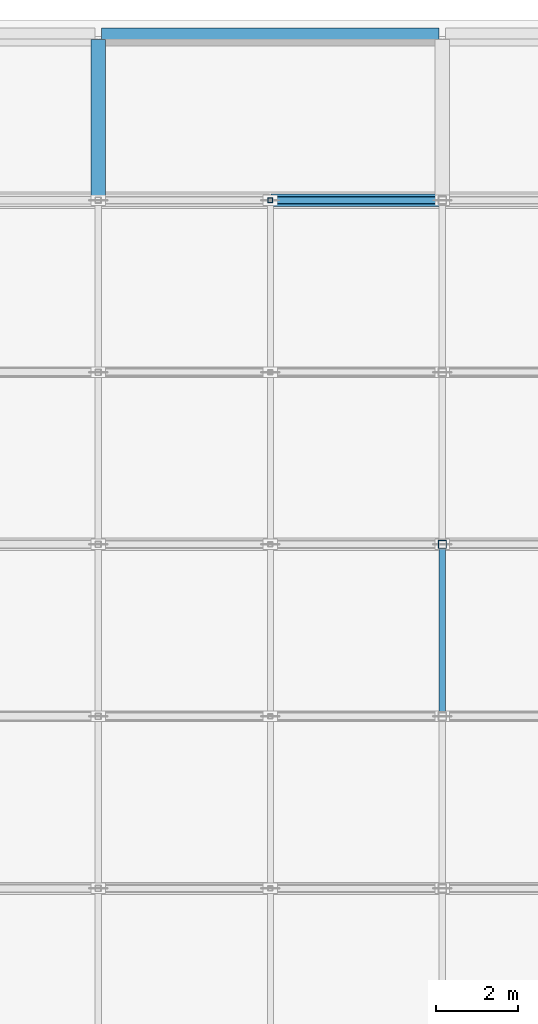
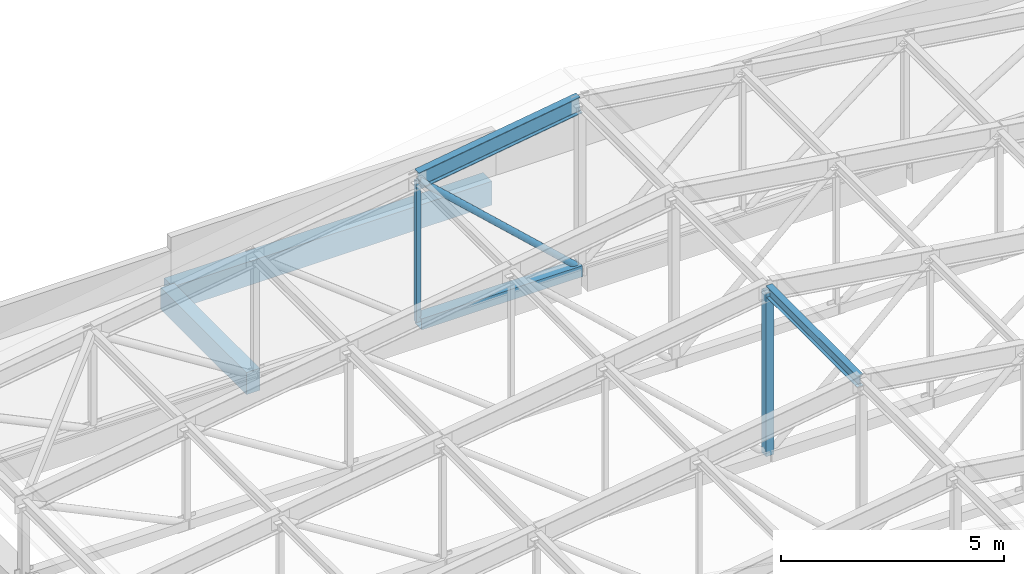
# One storey, part 38 of 122: 6 members, 2 beams.
"""IFC4 building model written with IfcOpenShell, lengths in metres."""

from ifc_helpers import new_model, si_unit, direction, frame, origin, origin_2d, place, context, subcontext, project, spatial, rectangle, hollow_rectangle, hollow_circle, i_section, extrude, material, material_profile, profile_set, type_object, element, save


model = new_model("IFC4")

# Units and contexts
model_context = context("Model", 3, precision=1e-05, world=origin(), true_north=direction((0.0, 1.0)))
body_context = subcontext(model_context, "Body", "Model", "MODEL_VIEW")
ifc_project = project(units=[si_unit("LENGTHUNIT", "METRE"), si_unit("AREAUNIT", "SQUARE_METRE"), si_unit("VOLUMEUNIT", "CUBIC_METRE"), si_unit("PLANEANGLEUNIT", "RADIAN"), si_unit("MASSUNIT", "GRAM", prefix="KILO")], contexts=[model_context])

# Site, building, storey
site_placement = place(None, origin())
site = spatial("IfcSite", under=ifc_project, at=site_placement, CompositionType="ELEMENT")
building_placement = place(site_placement, origin())
building = spatial("IfcBuilding", under=site, at=building_placement, Name="Telukmera Botanical Conservatory", CompositionType="ELEMENT")
storey_placement = place(building_placement, frame((0.0, 0.0, 10.199951171875)))
storey = spatial("IfcBuildingStorey", under=building, at=storey_placement, Name="L02", CompositionType="ELEMENT", Elevation=10.199951171875)

# Beams
ifc_material_1 = material(Name="Concrete C40/50", Category="concrete")
ifc_material_profile_1 = material_profile(ifc_material_1, rectangle(XDim=0.39990234375, YDim=0.64990234375, at=origin_2d()), Name="RC 400x650")
ifc_profile_set_1 = profile_set([ifc_material_profile_1], Name="Concrete C40/50")
beam_type_1 = type_object("IfcBeamType", Name="Beam_B8", PredefinedType="BEAM", material=ifc_profile_set_1)
beam_1_placement = place(storey_placement, frame((16.8798828125, 120.800048828125, -0.324951171875), z_axis=(1.0, 0.0, 0.0), x_axis=(0.0, 1.0, 0.0)))
element("IfcBeam", 1, at=beam_1_placement, inside=storey, type_object=beam_type_1, Name="Auditorium Frame Beam beam:V2:L02:port_x:1208:168", PredefinedType="BEAM", context=body_context, shape_type="SweptSolid", body=[
    extrude(rectangle(XDim=0.39990234375, YDim=0.64990234375, at=origin_2d()), origin(), (0.0, 0.0, 1.0), 8.240234375),
])
ifc_material_profile_2 = material_profile(ifc_material_1, rectangle(XDim=0.35009765625, YDim=0.60009765625, at=origin_2d()), Name="RC 350x600")
ifc_profile_set_2 = profile_set([ifc_material_profile_2], Name="Concrete C40/50")
beam_type_2 = type_object("IfcBeamType", Name="Beam_B9", PredefinedType="BEAM", material=ifc_profile_set_2)
beam_2_placement = place(storey_placement, frame((16.800048828125, 116.8798828125, -0.300048828125), z_axis=(0.0, 1.0, 0.0), x_axis=(-1.0, 0.0, 0.0)))
element("IfcBeam", 2, at=beam_2_placement, inside=storey, type_object=beam_type_2, Name="Auditorium Frame Beam beam:V2:L02:port_y:168", PredefinedType="BEAM", context=body_context, shape_type="SweptSolid", body=[
    extrude(rectangle(XDim=0.35009765625, YDim=0.60009765625, at=origin_2d()), origin(), (0.0, 0.0, 1.0), 3.840087890625),
])

# Members
ifc_material_2 = material(Name="Steel S355", Category="steel")
ifc_material_profile_3 = material_profile(ifc_material_2, hollow_rectangle(XDim=0.300048828125, YDim=0.300048828125, WallThickness=0.012451171875, at=origin_2d()), Name="SHS 300x300x12.5")
ifc_profile_set_3 = profile_set([ifc_material_profile_3], Name="Steel S355")
member_type_1 = type_object("IfcMemberType", Name="Mem_TC3", PredefinedType="CHORD", material=ifc_profile_set_3)
member_1_placement = place(storey_placement, frame((21.02001953125, 116.800048828125, -0.079833984375), z_axis=(1.0, 0.0, 0.0), x_axis=(0.0, 1.0, 0.0)))
element("IfcMember", 3, at=member_1_placement, inside=storey, type_object=member_type_1, Name="Auditorium Pratt Truss Bottom Chord T9-4", PredefinedType="CHORD", context=body_context, shape_type="SweptSolid", body=[
    extrude(hollow_rectangle(XDim=0.300048828125, YDim=0.300048828125, WallThickness=0.012451171875, at=origin_2d()), origin(), (0.0, 0.0, 1.0), 4.159912109375),
])
ifc_material_profile_4 = material_profile(ifc_material_2, i_section(OverallWidth=0.19140625, OverallDepth=0.4599609375, WebThickness=0.010009765625, FlangeThickness=0.01611328125, FilletRadius=0.01025390625, at=origin_2d()), Name="UB 457x191x82")
ifc_profile_set_4 = profile_set([ifc_material_profile_4], Name="Steel S355")
member_type_2 = type_object("IfcMemberType", Name="Mem_TC4", PredefinedType="CHORD", material=ifc_profile_set_4)
member_2_placement = place(storey_placement, frame((21.019775390625, 116.800048828125, 3.80615234375), z_axis=(0.989022603236, 0.0, 0.147764306545), x_axis=(0.0, 1.0, 0.0)))
element("IfcMember", 4, at=member_2_placement, inside=storey, type_object=member_type_2, Name="Auditorium Pratt Truss Top Chord T9-4", PredefinedType="CHORD", context=body_context, shape_type="SweptSolid", body=[
    extrude(i_section(OverallWidth=0.19140625, OverallDepth=0.4599609375, WebThickness=0.010009765625, FlangeThickness=0.01611328125, FilletRadius=0.01025390625, at=origin_2d()), origin(), (0.0, 0.0, 1.0), 4.20654296875),
])
ifc_material_profile_5 = material_profile(ifc_material_2, hollow_circle(Radius=0.084228515625, WallThickness=0.008056640625, at=origin_2d()), Name="CHS 168.3x8.0")
ifc_profile_set_5 = profile_set([ifc_material_profile_5], Name="Steel S355")
member_type_3 = type_object("IfcMemberType", Name="Mem_TD2", PredefinedType="BRACE", material=ifc_profile_set_5)
member_3_placement = place(storey_placement, frame((21.02197265625, 116.800048828125, 3.78271484375), z_axis=(0.734277342079, 0.0, -0.678849604044), x_axis=(0.0, 1.0, 0.0)))
element("IfcMember", 5, at=member_3_placement, inside=storey, type_object=member_type_3, Name="Auditorium Pratt Truss Web Diagonal T9-D4", PredefinedType="BRACE", context=body_context, shape_type="SweptSolid", body=[
    extrude(hollow_circle(Radius=0.084228515625, WallThickness=0.008056640625, at=origin_2d()), origin(), (0.0, 0.0, 1.0), 5.659912109375),
])
ifc_material_profile_6 = material_profile(ifc_material_2, i_section(OverallWidth=0.165771484375, OverallDepth=0.306640625, WebThickness=0.006591796875, FlangeThickness=0.01171875, FilletRadius=0.0087890625, at=origin_2d()), Name="UB 305x165x46")
ifc_profile_set_6 = profile_set([ifc_material_profile_6], Name="Steel S355")
member_type_4 = type_object("IfcMemberType", Name="Mem_TPB1", PredefinedType="PURLIN", material=ifc_profile_set_6)
member_4_placement = place(storey_placement, frame((25.199951171875, 104.260009765625, 4.430908203125), z_axis=(0.0, 1.0, 0.0), x_axis=(-1.0, 0.0, 0.0)))
element("IfcMember", 6, at=member_4_placement, inside=storey, type_object=member_type_4, Name="Auditorium Roof Steel Purlin P6-4", PredefinedType="PURLIN", context=body_context, shape_type="SweptSolid", body=[
    extrude(i_section(OverallWidth=0.165771484375, OverallDepth=0.306640625, WebThickness=0.006591796875, FlangeThickness=0.01171875, FilletRadius=0.0087890625, at=origin_2d()), origin(), (0.0, 0.0, 1.0), 4.080078125),
])
ifc_material_profile_7 = material_profile(ifc_material_2, hollow_rectangle(XDim=0.199951171875, YDim=0.199951171875, WallThickness=0.010009765625, at=origin_2d()), Name="SHS 200x200x10.0")
ifc_profile_set_7 = profile_set([ifc_material_profile_7], Name="Steel S355")
member_type_5 = type_object("IfcMemberType", Name="Mem_TV1", PredefinedType="POST", material=ifc_profile_set_7)
member_5_placement = place(storey_placement, frame((25.199951171875, 108.39990234375, -0.06005859375), z_axis=(0.0, 0.0, 1.0), x_axis=(1.0, 0.0, 0.0)))
element("IfcMember", 7, at=member_5_placement, inside=storey, type_object=member_type_5, Name="Auditorium Pratt Truss Vertical T7-V4", PredefinedType="POST", context=body_context, shape_type="SweptSolid", body=[
    extrude(hollow_rectangle(XDim=0.199951171875, YDim=0.199951171875, WallThickness=0.010009765625, at=origin_2d()), origin(), (0.0, 0.0, 1.0), 4.470947265625),
])
ifc_material_profile_8 = material_profile(ifc_material_2, hollow_rectangle(XDim=0.1201171875, YDim=0.1201171875, WallThickness=0.00634765625, at=origin_2d()), Name="SHS 120x120x6.3")
ifc_profile_set_8 = profile_set([ifc_material_profile_8], Name="Steel S355")
member_type_6 = type_object("IfcMemberType", Name="Mem_TV3", PredefinedType="POST", material=ifc_profile_set_8)
member_6_placement = place(storey_placement, frame((21.0, 116.800048828125, -0.06005859375), z_axis=(0.0, 0.0, 1.0), x_axis=(1.0, 0.0, 0.0)))
element("IfcMember", 8, at=member_6_placement, inside=storey, type_object=member_type_6, Name="Auditorium Pratt Truss Vertical T9-V3", PredefinedType="POST", context=body_context, shape_type="SweptSolid", body=[
    extrude(hollow_rectangle(XDim=0.1201171875, YDim=0.1201171875, WallThickness=0.00634765625, at=origin_2d()), origin(), (0.0, 0.0, 1.0), 3.84326171875),
])

save(model, "model.ifc")
